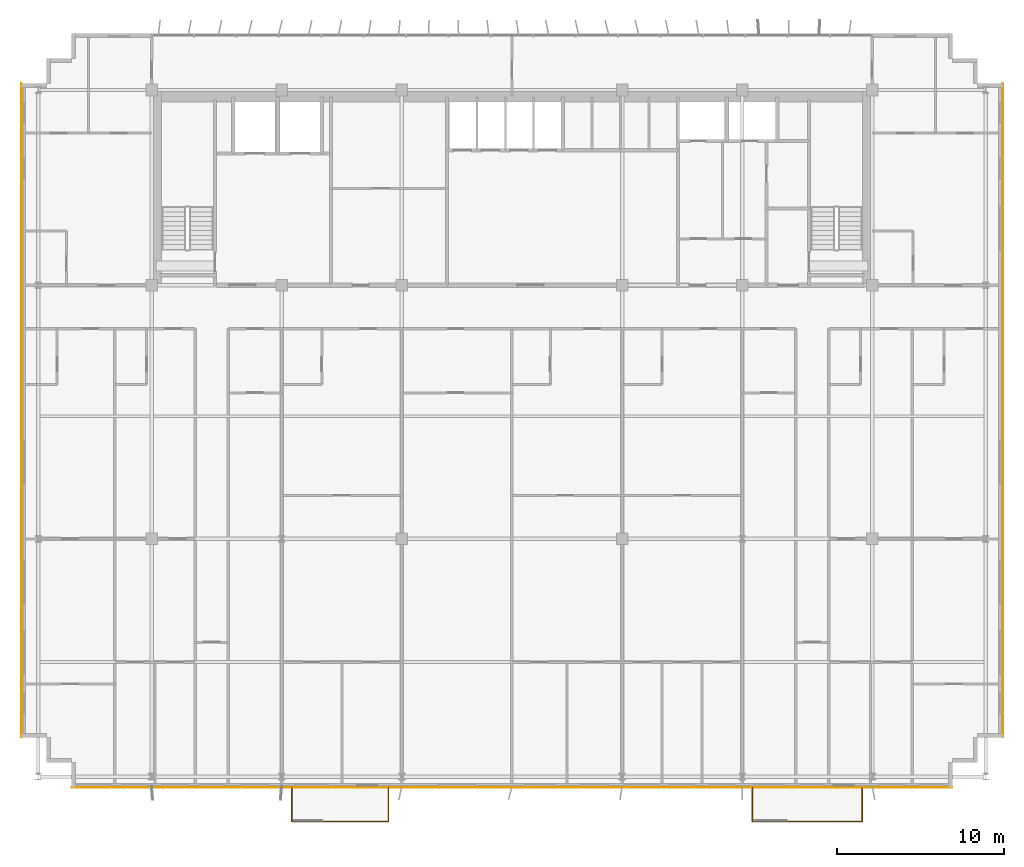
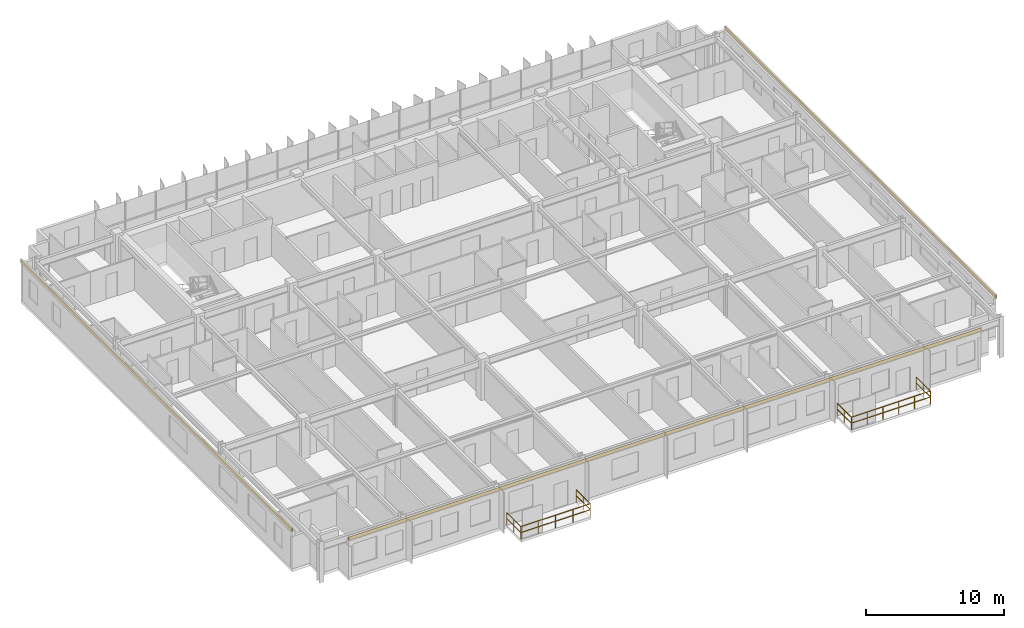
# One storey, part 21 of 22: 6 railings, 3 coverings.
"""IFC4 building model written with IfcOpenShell, lengths in metres."""

from ifc_helpers import new_model, si_unit, direction, frame, origin, origin_2d, place, context, subcontext, project, spatial, rectangle, extrude, source, transform, mapped, material, layer, layer_set, type_object, element, save


model = new_model("IFC4")

# Units and contexts
model_context = context("Model", 3, precision=1e-05, world=origin(), true_north=direction((0.0, 1.0)))
body_context = subcontext(model_context, "Body", "Model", "MODEL_VIEW")
ifc_project = project(units=[si_unit("LENGTHUNIT", "METRE"), si_unit("AREAUNIT", "SQUARE_METRE"), si_unit("VOLUMEUNIT", "CUBIC_METRE"), si_unit("PLANEANGLEUNIT", "RADIAN"), si_unit("MASSUNIT", "GRAM", prefix="KILO")], contexts=[model_context])

# Site, building, storey
site_placement = place(None, origin())
site = spatial("IfcSite", under=ifc_project, at=site_placement, CompositionType="ELEMENT")
building_placement = place(site_placement, origin())
building = spatial("IfcBuilding", under=site, at=building_placement, Name="Trelvane Seafront Commons", CompositionType="ELEMENT")
storey_placement = place(building_placement, frame((0.0, 0.0, 139.300048828125)))
storey = spatial("IfcBuildingStorey", under=building, at=storey_placement, Name="L36", CompositionType="ELEMENT", Elevation=139.300048828125)

# Railings
ifc_material_1 = material(Name="Stainless steel balustrade", Category="steel")
railing_type = type_object("IfcRailingType", Name="ARCH-RAIL-BAL1150", PredefinedType="BALUSTRADE", material=ifc_material_1)
railing_1_placement = place(storey_placement, frame((24.0, 3.300048828125, 0.0)))
element("IfcRailing", 1, at=railing_1_placement, inside=storey, type_object=railing_type, Name="RL-L36-BAL0-01", PredefinedType="BALUSTRADE", context=body_context, shape_type="SweptSolid", body=[
    extrude(rectangle(XDim=0.048095703125, YDim=0.048095703125, at=origin_2d()), frame((0.0, 0.0, 1.1259765625), z_axis=(0.0, -1.0, 0.0), x_axis=(1.0, 0.0, 0.0)), (0.0, 0.0, 1.0), 2.0400390625),
    extrude(rectangle(XDim=0.048095703125, YDim=0.048095703125, at=origin_2d()), frame((0.0, 0.0, 0.597900390625), z_axis=(0.0, -1.0, 0.0), x_axis=(1.0, 0.0, 0.0)), (0.0, 0.0, 1.0), 2.0400390625),
    extrude(rectangle(XDim=0.0419921875, YDim=0.0419921875, at=origin_2d()), origin(), (0.0, 0.0, 1.0), 1.1259765625),
    extrude(rectangle(XDim=0.0419921875, YDim=0.0419921875, at=origin_2d()), frame((0.0, -1.02001953125, 0.0)), (0.0, 0.0, 1.0), 1.1259765625),
    extrude(rectangle(XDim=0.0419921875, YDim=0.0419921875, at=origin_2d()), frame((0.0, -2.0400390625, 0.0)), (0.0, 0.0, 1.0), 1.1259765625),
])
railing_2_placement = place(storey_placement, frame((24.0, 1.260009765625, 0.0)))
element("IfcRailing", 2, at=railing_2_placement, inside=storey, type_object=railing_type, Name="RL-L36-BAL0-02", PredefinedType="BALUSTRADE", context=body_context, shape_type="SweptSolid", body=[
    extrude(rectangle(XDim=0.048095703125, YDim=0.048095703125, at=origin_2d()), frame((0.0, 0.0, 1.1259765625), z_axis=(1.0, 0.0, 0.0), x_axis=(0.0, 1.0, 0.0)), (0.0, 0.0, 1.0), 5.800048828125),
    extrude(rectangle(XDim=0.048095703125, YDim=0.048095703125, at=origin_2d()), frame((0.0, 0.0, 0.597900390625), z_axis=(1.0, 0.0, 0.0), x_axis=(0.0, 1.0, 0.0)), (0.0, 0.0, 1.0), 5.800048828125),
    extrude(rectangle(XDim=0.0419921875, YDim=0.0419921875, at=origin_2d()), origin(), (0.0, 0.0, 1.0), 1.1259765625),
    extrude(rectangle(XDim=0.0419921875, YDim=0.0419921875, at=origin_2d()), frame((1.449951171875, 0.0, 0.0)), (0.0, 0.0, 1.0), 1.1259765625),
    extrude(rectangle(XDim=0.0419921875, YDim=0.0419921875, at=origin_2d()), frame((2.89990234375, 0.0, 0.0)), (0.0, 0.0, 1.0), 1.1259765625),
    extrude(rectangle(XDim=0.0419921875, YDim=0.0419921875, at=origin_2d()), frame((4.35009765625, 0.0, 0.0)), (0.0, 0.0, 1.0), 1.1259765625),
    extrude(rectangle(XDim=0.0419921875, YDim=0.0419921875, at=origin_2d()), frame((5.800048828125, 0.0, 0.0)), (0.0, 0.0, 1.0), 1.1259765625),
])
railing_3_placement = place(storey_placement, frame((29.800048828125, 1.260009765625, 0.0)))
element("IfcRailing", 3, at=railing_3_placement, inside=storey, type_object=railing_type, Name="RL-L36-BAL0-03", PredefinedType="BALUSTRADE", context=body_context, shape_type="SweptSolid", body=[
    extrude(rectangle(XDim=0.048095703125, YDim=0.048095703125, at=origin_2d()), frame((0.0, 0.0, 1.1259765625), z_axis=(0.0, 1.0, 0.0), x_axis=(-1.0, 0.0, 0.0)), (0.0, 0.0, 1.0), 2.0400390625),
    extrude(rectangle(XDim=0.048095703125, YDim=0.048095703125, at=origin_2d()), frame((0.0, 0.0, 0.597900390625), z_axis=(0.0, 1.0, 0.0), x_axis=(-1.0, 0.0, 0.0)), (0.0, 0.0, 1.0), 2.0400390625),
    extrude(rectangle(XDim=0.0419921875, YDim=0.0419921875, at=origin_2d()), origin(), (0.0, 0.0, 1.0), 1.1259765625),
    extrude(rectangle(XDim=0.0419921875, YDim=0.0419921875, at=origin_2d()), frame((0.0, 1.02001953125, 0.0)), (0.0, 0.0, 1.0), 1.1259765625),
    extrude(rectangle(XDim=0.0419921875, YDim=0.0419921875, at=origin_2d()), frame((0.0, 2.0400390625, 0.0)), (0.0, 0.0, 1.0), 1.1259765625),
])
railing_4_placement = place(storey_placement, frame((51.60009765625, 3.300048828125, 0.0)))
element("IfcRailing", 4, at=railing_4_placement, inside=storey, type_object=railing_type, Name="RL-L36-BAL1-01", PredefinedType="BALUSTRADE", context=body_context, shape_type="SweptSolid", body=[
    extrude(rectangle(XDim=0.048095703125, YDim=0.048095703125, at=origin_2d()), frame((0.0, 0.0, 1.1259765625), z_axis=(0.0, -1.0, 0.0), x_axis=(1.0, 0.0, 0.0)), (0.0, 0.0, 1.0), 2.0400390625),
    extrude(rectangle(XDim=0.048095703125, YDim=0.048095703125, at=origin_2d()), frame((0.0, 0.0, 0.597900390625), z_axis=(0.0, -1.0, 0.0), x_axis=(1.0, 0.0, 0.0)), (0.0, 0.0, 1.0), 2.0400390625),
    extrude(rectangle(XDim=0.0419921875, YDim=0.0419921875, at=origin_2d()), origin(), (0.0, 0.0, 1.0), 1.1259765625),
    extrude(rectangle(XDim=0.0419921875, YDim=0.0419921875, at=origin_2d()), frame((0.0, -1.02001953125, 0.0)), (0.0, 0.0, 1.0), 1.1259765625),
    extrude(rectangle(XDim=0.0419921875, YDim=0.0419921875, at=origin_2d()), frame((0.0, -2.0400390625, 0.0)), (0.0, 0.0, 1.0), 1.1259765625),
])
railing_5_placement = place(storey_placement, frame((51.60009765625, 1.260009765625, 0.0)))
element("IfcRailing", 5, at=railing_5_placement, inside=storey, type_object=railing_type, Name="RL-L36-BAL1-02", PredefinedType="BALUSTRADE", context=body_context, shape_type="SweptSolid", body=[
    extrude(rectangle(XDim=0.048095703125, YDim=0.048095703125, at=origin_2d()), frame((0.0, 0.0, 1.1259765625), z_axis=(1.0, 0.0, 0.0), x_axis=(0.0, 1.0, 0.0)), (0.0, 0.0, 1.0), 6.599853515625),
    extrude(rectangle(XDim=0.048095703125, YDim=0.048095703125, at=origin_2d()), frame((0.0, 0.0, 0.597900390625), z_axis=(1.0, 0.0, 0.0), x_axis=(0.0, 1.0, 0.0)), (0.0, 0.0, 1.0), 6.599853515625),
    extrude(rectangle(XDim=0.0419921875, YDim=0.0419921875, at=origin_2d()), origin(), (0.0, 0.0, 1.0), 1.1259765625),
    extrude(rectangle(XDim=0.0419921875, YDim=0.0419921875, at=origin_2d()), frame((1.320068359375, 0.0, 0.0)), (0.0, 0.0, 1.0), 1.1259765625),
    extrude(rectangle(XDim=0.0419921875, YDim=0.0419921875, at=origin_2d()), frame((2.639892578125, 0.0, 0.0)), (0.0, 0.0, 1.0), 1.1259765625),
    extrude(rectangle(XDim=0.0419921875, YDim=0.0419921875, at=origin_2d()), frame((3.9599609375, 0.0, 0.0)), (0.0, 0.0, 1.0), 1.1259765625),
    extrude(rectangle(XDim=0.0419921875, YDim=0.0419921875, at=origin_2d()), frame((5.27978515625, 0.0, 0.0)), (0.0, 0.0, 1.0), 1.1259765625),
    extrude(rectangle(XDim=0.0419921875, YDim=0.0419921875, at=origin_2d()), frame((6.599853515625, 0.0, 0.0)), (0.0, 0.0, 1.0), 1.1259765625),
])
railing_6_placement = place(storey_placement, frame((58.199951171875, 1.260009765625, 0.0)))
element("IfcRailing", 6, at=railing_6_placement, inside=storey, type_object=railing_type, Name="RL-L36-BAL1-03", PredefinedType="BALUSTRADE", context=body_context, shape_type="SweptSolid", body=[
    extrude(rectangle(XDim=0.048095703125, YDim=0.048095703125, at=origin_2d()), frame((0.0, 0.0, 1.1259765625), z_axis=(0.0, 1.0, 0.0), x_axis=(-1.0, 0.0, 0.0)), (0.0, 0.0, 1.0), 2.0400390625),
    extrude(rectangle(XDim=0.048095703125, YDim=0.048095703125, at=origin_2d()), frame((0.0, 0.0, 0.597900390625), z_axis=(0.0, 1.0, 0.0), x_axis=(-1.0, 0.0, 0.0)), (0.0, 0.0, 1.0), 2.0400390625),
    extrude(rectangle(XDim=0.0419921875, YDim=0.0419921875, at=origin_2d()), origin(), (0.0, 0.0, 1.0), 1.1259765625),
    extrude(rectangle(XDim=0.0419921875, YDim=0.0419921875, at=origin_2d()), frame((0.0, 1.02001953125, 0.0)), (0.0, 0.0, 1.0), 1.1259765625),
    extrude(rectangle(XDim=0.0419921875, YDim=0.0419921875, at=origin_2d()), frame((0.0, 2.0400390625, 0.0)), (0.0, 0.0, 1.0), 1.1259765625),
])

# Coverings
ifc_material_2 = material(Name="Anodised pale-silver aluminium", Category="aluminium")
ifc_layer = layer(ifc_material_2, 0.034912109375, Name="ARCH-COV-CLAD35")
ifc_layer_set = layer_set([ifc_layer], Name="Anodised pale-silver aluminium")
covering_type = type_object("IfcCoveringType", Name="ARCH-COV-CLAD35", PredefinedType="CLADDING", material=ifc_layer_set)
shared_shape_1 = source(origin(), body_context, "Body", "SweptSolid", [
    extrude(rectangle(XDim=39.199951171875, YDim=0.034912109375, at=origin_2d()), origin(), (0.0, 0.0, 1.0), 0.2900390625),
])
for number, where, z_axis, x_axis, name in (
    (7, (7.800048828125, 25.89990234375, 3.309814453125), (0.0, 0.0, 1.0), (0.0, 1.0, 0.0), "CLD-L36-00149"),
    (8, (66.60009765625, 25.89990234375, 3.309814453125), (0.0, 0.0, 1.0), (0.0, -1.0, 0.0), "CLD-L36-00150"),
):
    element("IfcCovering", number, at=place(storey_placement, frame(where, z_axis=z_axis, x_axis=x_axis)), inside=storey, type_object=covering_type, Name=name, PredefinedType="CLADDING", context=body_context, shape_type="MappedRepresentation", body=[
        mapped(shared_shape_1, transform((0.0, 0.0, 0.0), x_axis=(1.0, 0.0, 0.0), y_axis=(0.0, 1.0, 0.0), z_axis=(0.0, 0.0, 1.0), scale=1.0)),
    ])
shared_shape_2 = source(origin(), body_context, "Body", "SweptSolid", [
    extrude(rectangle(XDim=52.800048828125, YDim=0.034912109375, at=origin_2d()), origin(), (0.0, 0.0, 1.0), 0.2900390625),
])
covering_placement = place(storey_placement, frame((37.199951171875, 3.300048828125, 3.309814453125), z_axis=(0.0, 0.0, 1.0), x_axis=(-1.0, 0.0, 0.0)))
element("IfcCovering", 9, at=covering_placement, inside=storey, type_object=covering_type, Name="CLD-L36-00151", PredefinedType="CLADDING", context=body_context, shape_type="MappedRepresentation", body=[
    mapped(shared_shape_2, transform((0.0, 0.0, 0.0), x_axis=(1.0, 0.0, 0.0), y_axis=(0.0, 1.0, 0.0), z_axis=(0.0, 0.0, 1.0), scale=1.0)),
])

save(model, "model.ifc")
